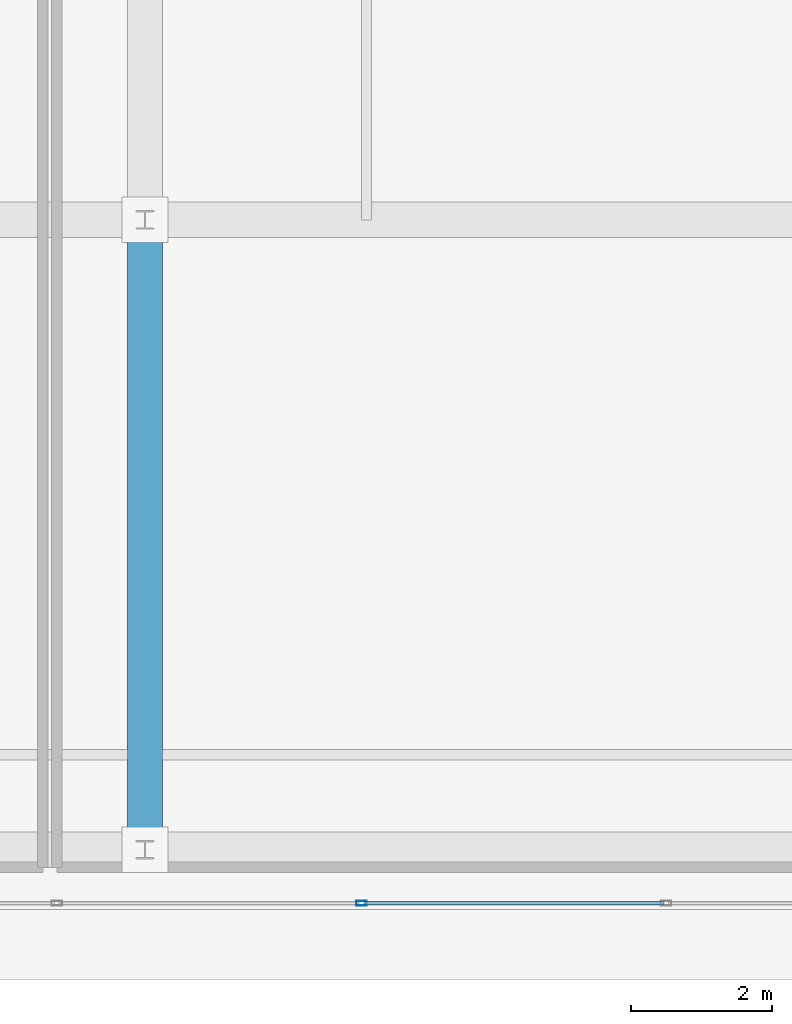
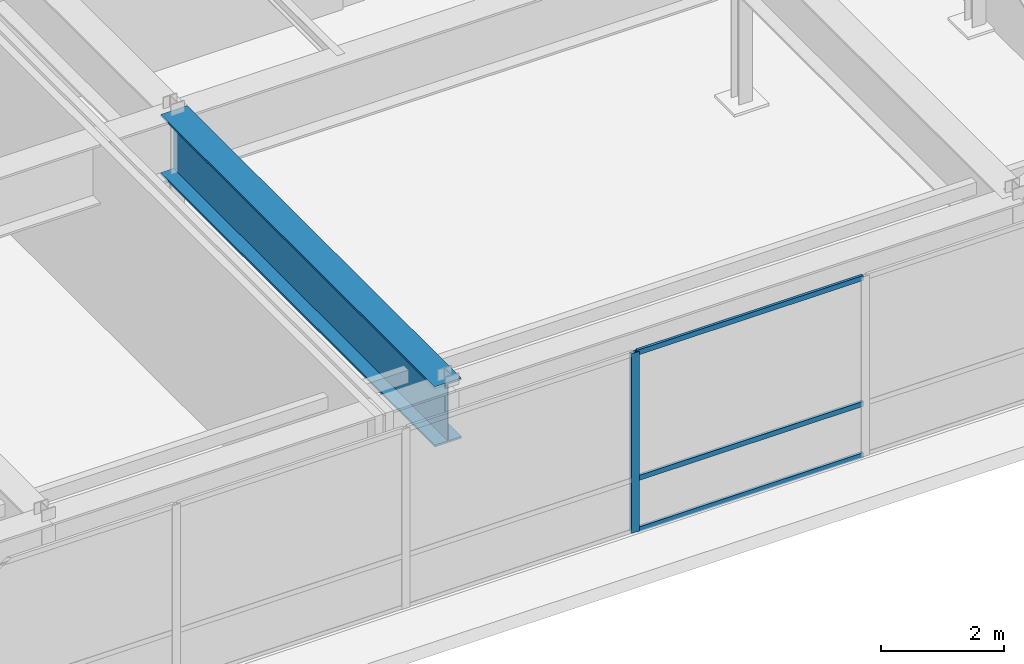
# One storey, part 12 of 35: 4 members, 1 beam, 1 element without a shape of its own.
"""IFC4 building model written with IfcOpenShell, lengths in metres."""

from ifc_helpers import new_model, si_unit, direction, frame, origin, origin_2d, place, context, subcontext, project, spatial, hollow_rectangle, i_section, extrude, source, transform, mapped, material, layer, layer_set, material_profile, profile_set, type_object, type_shapes, element, aggregate, save


model = new_model("IFC4")

# Units and contexts
model_context = context("Model", 3, precision=1e-05, world=origin(), true_north=direction((0.0, 1.0)))
body_context = subcontext(model_context, "Body", "Model", "MODEL_VIEW")
ifc_project = project(units=[si_unit("LENGTHUNIT", "METRE"), si_unit("AREAUNIT", "SQUARE_METRE"), si_unit("VOLUMEUNIT", "CUBIC_METRE"), si_unit("PLANEANGLEUNIT", "RADIAN"), si_unit("MASSUNIT", "GRAM", prefix="KILO")], contexts=[model_context])

# Site, building, storey
site_placement = place(None, origin())
site = spatial("IfcSite", under=ifc_project, at=site_placement, CompositionType="ELEMENT")
building_placement = place(site_placement, origin())
building = spatial("IfcBuilding", under=site, at=building_placement, Name="Tolvann Quenvar Hotel", CompositionType="ELEMENT")
storey_placement = place(building_placement, frame((0.0, 0.0, 290.949951171875)))
storey = spatial("IfcBuildingStorey", under=building, at=storey_placement, Name="L77", CompositionType="ELEMENT", Elevation=290.949951171875)

# Beam
ifc_material_1 = material(Name="Steel Grade 350", Category="steel")
ifc_material_profile_1 = material_profile(ifc_material_1, i_section(OverallWidth=0.5, OverallDepth=1.199951171875, WebThickness=0.01611328125, FlangeThickness=0.0400390625, at=origin_2d()), Name="1200WB455")
ifc_profile_set_1 = profile_set([ifc_material_profile_1], Name="Steel Grade 350")
beam_type = type_object("IfcBeamType", Name="BM_TG_1200WB455", PredefinedType="USERDEFINED", material=ifc_profile_set_1)
shared_shape_1 = source(origin(), body_context, "Body", "SweptSolid", [
    extrude(i_section(OverallWidth=0.5, OverallDepth=1.199951171875, WebThickness=0.01611328125, FlangeThickness=0.0400390625, at=origin_2d()), origin(), (0.0, 0.0, 1.0), 8.949951171875),
])
type_shapes(beam_type, [shared_shape_1])
beam_placement = place(storey_placement, frame((22.050048828125, 7.050048828125, 2.97998046875), z_axis=(0.0, 1.0, 0.0), x_axis=(-1.0, 0.0, 0.0)))
element("IfcBeam", 1, at=beam_placement, inside=storey, type_object=beam_type, Name="BM-L77-NS-E2-E4", ObjectType="TRANSFER GIRDER", PredefinedType="USERDEFINED", context=body_context, shape_type="MappedRepresentation", body=[
    mapped(shared_shape_1, transform((0.0, 0.0, 0.0), x_axis=(1.0, 0.0, 0.0), y_axis=(0.0, 1.0, 0.0), z_axis=(0.0, 0.0, 1.0), scale=1.0)),
])

# Curtain wall, members
ifc_material_2 = material(Name="Thermally broken anodised architectural aluminium 6063-T6 and laminated low-E glass", Category="aluminium")
ifc_layer = layer(ifc_material_2, 0.179931640625)
ifc_layer_set = layer_set([ifc_layer], Name="Thermally broken anodised architectural aluminium 6063-T6 and laminated low-E glass")
curtain_wall_type = type_object("IfcCurtainWallType", Name="CW_SYS_LANT_06", PredefinedType="USERDEFINED", material=ifc_layer_set)
curtain_wall_placement = place(storey_placement, origin())
curtain_wall = element("IfcCurtainWall", 2, at=curtain_wall_placement, inside=storey, type_object=curtain_wall_type, Name="Curtain Wall CW-LANT-06 (CWR-L77-E04)", ObjectType="UNITISED CURTAIN WALL", PredefinedType="USERDEFINED")
ifc_material_3 = material(Name="Anodised architectural aluminium 6063-T6 framing", Category="aluminium")
ifc_material_profile_2 = material_profile(ifc_material_3, hollow_rectangle(XDim=0.06494140625, YDim=0.14990234375, WallThickness=0.00390625, at=origin_2d()), Name="150x65x4RHS")
ifc_profile_set_2 = profile_set([ifc_material_profile_2], Name="Anodised architectural aluminium 6063-T6 framing")
member_type_1 = type_object("IfcMemberType", Name="CW_MULL_150x65", PredefinedType="MULLION", material=ifc_profile_set_2)
shared_shape_2 = source(origin(), body_context, "Body", "SweptSolid", [
    extrude(hollow_rectangle(XDim=0.06494140625, YDim=0.14990234375, WallThickness=0.00390625, at=origin_2d()), origin(), (0.0, 0.0, 1.0), 3.580078125),
])
type_shapes(member_type_1, [shared_shape_2])
member_1_placement = place(storey_placement, frame((25.127685546875, 6.2900390625, 0.0), z_axis=(0.0, 0.0, 1.0), x_axis=(0.0, 1.0, 0.0)))
member_1 = element("IfcMember", 3, at=member_1_placement, type_object=member_type_1, Name="CW-LANT-06 mullion 5", PredefinedType="MULLION", context=body_context, shape_type="MappedRepresentation", body=[
    mapped(shared_shape_2, transform((0.0, 0.0, 0.0), x_axis=(1.0, 0.0, 0.0), y_axis=(0.0, 1.0, 0.0), z_axis=(0.0, 0.0, 1.0), scale=1.0)),
])
ifc_material_profile_3 = material_profile(ifc_material_3, hollow_rectangle(XDim=0.050048828125, YDim=0.10009765625, WallThickness=0.0029296875, at=origin_2d()), Name="100x50x3RHS")
ifc_profile_set_3 = profile_set([ifc_material_profile_3], Name="Anodised architectural aluminium 6063-T6 framing")
member_type_2 = type_object("IfcMemberType", Name="CW_TRAN_100x50", PredefinedType="USERDEFINED", material=ifc_profile_set_3)
shared_shape_3 = source(origin(), body_context, "Body", "SweptSolid", [
    extrude(hollow_rectangle(XDim=0.050048828125, YDim=0.10009765625, WallThickness=0.0029296875, at=origin_2d()), origin(), (0.0, 0.0, 1.0), 4.262451171875),
])
type_shapes(member_type_2, [shared_shape_3])
member_2_placement = place(storey_placement, frame((25.16015625, 6.2900390625, 0.025146484375), z_axis=(1.0, 0.0, 0.0), x_axis=(0.0, 1.0, 0.0)))
member_2 = element("IfcMember", 4, at=member_2_placement, type_object=member_type_2, Name="CW-LANT-06 transom 5.1", ObjectType="TRANSOM", PredefinedType="USERDEFINED", context=body_context, shape_type="MappedRepresentation", body=[
    mapped(shared_shape_3, transform((0.0, 0.0, 0.0), x_axis=(1.0, 0.0, 0.0), y_axis=(0.0, 1.0, 0.0), z_axis=(0.0, 0.0, 1.0), scale=1.0)),
])
member_3_placement = place(storey_placement, frame((25.16015625, 6.2900390625, 1.050048828125), z_axis=(1.0, 0.0, 0.0), x_axis=(0.0, 1.0, 0.0)))
member_3 = element("IfcMember", 5, at=member_3_placement, type_object=member_type_2, Name="CW-LANT-06 transom 5.2", ObjectType="TRANSOM", PredefinedType="USERDEFINED", context=body_context, shape_type="MappedRepresentation", body=[
    mapped(shared_shape_3, transform((0.0, 0.0, 0.0), x_axis=(1.0, 0.0, 0.0), y_axis=(0.0, 1.0, 0.0), z_axis=(0.0, 0.0, 1.0), scale=1.0)),
])
member_4_placement = place(storey_placement, frame((25.16015625, 6.2900390625, 3.554931640625), z_axis=(1.0, 0.0, 0.0), x_axis=(0.0, 1.0, 0.0)))
member_4 = element("IfcMember", 6, at=member_4_placement, type_object=member_type_2, Name="CW-LANT-06 transom 5.3", ObjectType="TRANSOM", PredefinedType="USERDEFINED", context=body_context, shape_type="MappedRepresentation", body=[
    mapped(shared_shape_3, transform((0.0, 0.0, 0.0), x_axis=(1.0, 0.0, 0.0), y_axis=(0.0, 1.0, 0.0), z_axis=(0.0, 0.0, 1.0), scale=1.0)),
])
aggregate(curtain_wall, [member_1, member_2, member_3, member_4])

save(model, "model.ifc")
